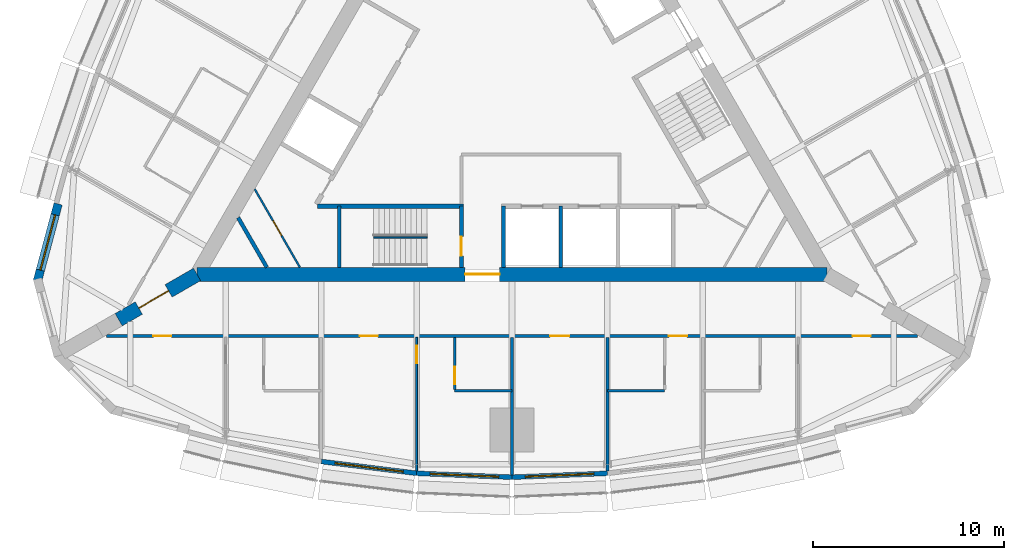
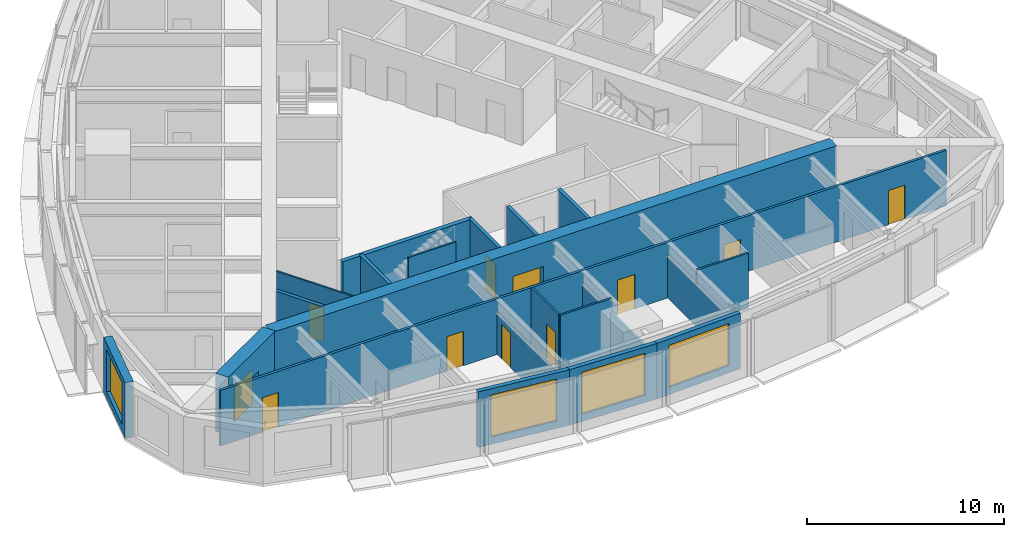
# One storey, part 9 of 15: 21 walls, 11 doors, 4 windows, 15 openings.
"""IFC4 building model written with IfcOpenShell, lengths in metres."""

from ifc_helpers import new_model, si_unit, direction, frame, frame_2d, origin, place, context, subcontext, project, spatial, rectangle, extrude, material, layer, layer_set, type_object, element, fill, save


model = new_model("IFC4")

# Units and contexts
model_context = context("Model", 3, precision=1e-05, world=origin(), true_north=direction((0.0, 1.0)))
body_context = subcontext(model_context, "Body", "Model", "MODEL_VIEW")
ifc_project = project(units=[si_unit("LENGTHUNIT", "METRE"), si_unit("AREAUNIT", "SQUARE_METRE"), si_unit("VOLUMEUNIT", "CUBIC_METRE"), si_unit("PLANEANGLEUNIT", "RADIAN"), si_unit("MASSUNIT", "GRAM", prefix="KILO")], contexts=[model_context])

# Site, building, storey
site_placement = place(None, origin())
site = spatial("IfcSite", under=ifc_project, at=site_placement, CompositionType="ELEMENT")
building_placement = place(site_placement, origin())
building = spatial("IfcBuilding", under=site, at=building_placement, Name="Trikona Tower", CompositionType="ELEMENT")
storey_placement = place(building_placement, frame((0.0, 0.0, 222.5)))
storey = spatial("IfcBuildingStorey", under=building, at=storey_placement, Name="L59", CompositionType="ELEMENT", Elevation=222.5)

# Wall
ifc_material_1 = material(Name="Metal stud and cement board", Category="gypsum")
ifc_layer_1 = layer(ifc_material_1, 0.1201171875)
ifc_layer_set_1 = layer_set([ifc_layer_1], Name="Bathroom wall 120")
wall_type_1 = type_object("IfcWallType", Name="Bathroom wall 120", PredefinedType="PLUMBINGWALL", material=ifc_layer_set_1)
wall_1_placement = place(storey_placement, frame((-3.0, -15.626220703125, 0.0), z_axis=(0.0, 0.0, 1.0), x_axis=(1.0, 0.0, 0.0)))
element("IfcWall", 1, at=wall_1_placement, inside=storey, type_object=wall_type_1, Name="Bathroom wall 5902.1", PredefinedType="PLUMBINGWALL", context=body_context, shape_type="SweptSolid", body=[
    extrude(rectangle(XDim=3.0, YDim=0.1201171875, at=frame_2d((1.5, 0.0))), origin(), (0.0, 0.0, 1.0), 3.43505859375),
])

# Wall, opening, door
wall_2_placement = place(storey_placement, frame((-3.0, -12.826416015625, 0.0), z_axis=(0.0, 0.0, 1.0), x_axis=(0.0, -1.0, 0.0)))
wall_2 = element("IfcWall", 2, at=wall_2_placement, inside=storey, type_object=wall_type_1, Name="Bathroom wall 5902.1", PredefinedType="PLUMBINGWALL", context=body_context, shape_type="SweptSolid", body=[
    extrude(rectangle(XDim=2.739990234375, YDim=0.1201171875, at=frame_2d((1.3701171875, 0.0))), origin(), (0.0, 0.0, 1.0), 3.43505859375),
])
opening_1_placement = place(wall_2_placement, frame((1.550048828125, 0.0, 0.0)))
opening_1 = element("IfcOpeningElement", 3, at=opening_1_placement, cuts=wall_2, Name="Opening D2", PredefinedType="OPENING", context=body_context, shape_type="SweptSolid", body=[
    extrude(rectangle(XDim=0.89990234375, YDim=2.1298828125, at=frame_2d((0.449951171875, 1.06494140625))), frame((0.0, 0.070068359375, 0.0), z_axis=(0.0, -1.0, 0.0), x_axis=(1.0, 0.0, 0.0)), (0.0, 0.0, 1.0), 0.14013671875),
])
ifc_material_2 = material(Name="Steel door frame with solid-core timber leaf", Category="steel")
door_type_1 = type_object("IfcDoorType", Name="Bathroom door 900x2130", OperationType="SLIDING_TO_LEFT", PredefinedType="DOOR", material=ifc_material_2)
door_1_placement = place(opening_1_placement, origin())
door_1 = element("IfcDoor", 4, at=door_1_placement, inside=storey, type_object=door_type_1, Name="Bathroom door 5902.1", OperationType="SLIDING_TO_LEFT", OverallHeight=2.1298828125, OverallWidth=0.89990234375, PredefinedType="DOOR", context=body_context, shape_type="SweptSolid", body=[
    extrude(rectangle(XDim=0.89990234375, YDim=2.1298828125, at=frame_2d((0.449951171875, 1.06494140625))), frame((0.0, 0.02490234375, 0.0), z_axis=(0.0, -1.0, 0.0), x_axis=(1.0, 0.0, 0.0)), (0.0, 0.0, 1.0), 0.050048828125),
])
fill(opening_1, door_1)

# Wall
wall_3_placement = place(storey_placement, frame((5.0, -15.626220703125, 0.0), z_axis=(0.0, 0.0, 1.0), x_axis=(1.0, 0.0, 0.0)))
element("IfcWall", 5, at=wall_3_placement, inside=storey, type_object=wall_type_1, Name="Bathroom wall 5903", PredefinedType="PLUMBINGWALL", context=body_context, shape_type="SweptSolid", body=[
    extrude(rectangle(XDim=3.0, YDim=0.1201171875, at=frame_2d((1.5, 0.0))), origin(), (0.0, 0.0, 1.0), 3.43505859375),
])

# Wall, opening, window
ifc_material_3 = material(Name="Brick-faced precast concrete", Category="masonry")
ifc_layer_2 = layer(ifc_material_3, 0.449951171875)
ifc_layer_set_2 = layer_set([ifc_layer_2], Name="Brick-faced corner wall 450")
wall_type_2 = type_object("IfcWallType", Name="Brick-faced corner wall 450", PredefinedType="SOLIDWALL", material=ifc_layer_set_2)
wall_4_placement = place(storey_placement, frame((-23.78271484375, -5.831787109375, 0.0), z_axis=(0.0, 0.0, 1.0), x_axis=(-0.258784695888, -0.965935029479, 0.0)))
wall_4 = element("IfcWall", 6, at=wall_4_placement, inside=storey, type_object=wall_type_2, Name="External wall L59-32", PredefinedType="SOLIDWALL", context=body_context, shape_type="SweptSolid", body=[
    extrude(rectangle(XDim=4.18408203125, YDim=0.449951171875, at=frame_2d((2.092041015625, 0.0))), origin(), (0.0, 0.0, 1.0), 3.43505859375),
])
opening_2_placement = place(wall_4_placement, frame((0.592041015625, 0.0, 0.449951171875)))
opening_2 = element("IfcOpeningElement", 7, at=opening_2_placement, cuts=wall_4, Name="Opening W3026", PredefinedType="OPENING", context=body_context, shape_type="SweptSolid", body=[
    extrude(rectangle(XDim=3.0, YDim=2.60009765625, at=frame_2d((1.5, 1.300048828125))), frame((0.0, 0.23486328125, 0.0), z_axis=(0.0, -1.0, 0.0), x_axis=(1.0, 0.0, 0.0)), (0.0, 0.0, 1.0), 0.469970703125),
])
ifc_material_4 = material(Name="Aluminium-framed double glazing", Category="aluminium")
window_type_1 = type_object("IfcWindowType", Name="Window 3000x2600", PartitioningType="SINGLE_PANEL", PredefinedType="WINDOW", material=ifc_material_4)
window_1_placement = place(opening_2_placement, origin())
window_1 = element("IfcWindow", 8, at=window_1_placement, inside=storey, type_object=window_type_1, Name="Window 5912", OverallHeight=2.60009765625, OverallWidth=3.0, PartitioningType="SINGLE_PANEL", PredefinedType="WINDOW", context=body_context, shape_type="SweptSolid", body=[
    extrude(rectangle(XDim=3.0, YDim=2.60009765625, at=frame_2d((1.5, 1.300048828125))), frame((0.0, 0.030029296875, 0.0), z_axis=(0.0, -1.0, 0.0), x_axis=(1.0, 0.0, 0.0)), (0.0, 0.0, 1.0), 0.06005859375),
])
fill(opening_2, window_1)

# Wall, opening, door
ifc_material_5 = material(Name="Concrete f'c 10000 psi", Category="concrete")
ifc_layer_3 = layer(ifc_material_5, 0.75)
ifc_layer_set_3 = layer_set([ifc_layer_3], Name="Buttress wall 750")
wall_type_3 = type_object("IfcWallType", Name="Buttress wall 750", PredefinedType="SHEAR", material=ifc_layer_set_3)
wall_5_placement = place(storey_placement, frame((-16.5, -9.5263671875, 0.0), z_axis=(0.0, 0.0, 1.0), x_axis=(-0.866031398331, -0.499989616998, 0.0)))
wall_5 = element("IfcWall", 9, at=wall_5_placement, inside=storey, type_object=wall_type_3, Name="Buttress wall 3", PredefinedType="SHEAR", context=body_context, shape_type="SweptSolid", body=[
    extrude(rectangle(XDim=4.74609375, YDim=0.75, at=frame_2d((2.373046875, 0.0))), origin(), (0.0, 0.0, 1.0), 3.60009765625),
])
opening_3_placement = place(wall_5_placement, frame((1.72509765625, 0.0, 0.0)))
opening_3 = element("IfcOpeningElement", 10, at=opening_3_placement, cuts=wall_5, Name="Opening D10", PredefinedType="OPENING", context=body_context, shape_type="SweptSolid", body=[
    extrude(rectangle(XDim=1.800048828125, YDim=2.1298828125, at=frame_2d((0.89990234375, 1.06494140625))), frame((0.0, 0.385009765625, 0.0), z_axis=(0.0, -1.0, 0.0), x_axis=(1.0, 0.0, 0.0)), (0.0, 0.0, 1.0), 0.77001953125),
])
ifc_material_6 = material(Name="Hollow metal door and frame", Category="steel")
door_type_2 = type_object("IfcDoorType", Name="Cross-corridor door pair 1800x2130", OperationType="DOUBLE_DOOR_DOUBLE_SWING", PredefinedType="DOOR", material=ifc_material_6)
door_2_placement = place(opening_3_placement, origin())
door_2 = element("IfcDoor", 11, at=door_2_placement, inside=storey, type_object=door_type_2, Name="Cross-corridor door 3", OperationType="DOUBLE_DOOR_DOUBLE_SWING", OverallHeight=2.1298828125, OverallWidth=1.800048828125, PredefinedType="DOOR", context=body_context, shape_type="SweptSolid", body=[
    extrude(rectangle(XDim=1.800048828125, YDim=2.1298828125, at=frame_2d((0.89990234375, 1.06494140625))), frame((0.0, 0.02490234375, 0.0), z_axis=(0.0, -1.0, 0.0), x_axis=(1.0, 0.0, 0.0)), (0.0, 0.0, 1.0), 0.050048828125),
])
fill(opening_3, door_2)

ifc_material_7 = material(Name="Concrete f'c 10000 psi", Category="concrete")
ifc_layer_4 = layer(ifc_material_7, 0.75)
ifc_layer_set_4 = layer_set([ifc_layer_4], Name="Core wall 750")
wall_type_4 = type_object("IfcWallType", Name="Core wall 750", PredefinedType="SHEAR", material=ifc_layer_set_4)
wall_6_placement = place(storey_placement, frame((-16.5, -9.5263671875, 0.0), z_axis=(0.0, 0.0, 1.0), x_axis=(1.0, 0.0, 0.0)))
wall_6 = element("IfcWall", 12, at=wall_6_placement, inside=storey, type_object=wall_type_4, Name="Core wall A", PredefinedType="SHEAR", context=body_context, shape_type="SweptSolid", body=[
    extrude(rectangle(XDim=33.0, YDim=0.75, at=frame_2d((16.5, 0.0))), origin(), (0.0, 0.0, 1.0), 3.60009765625),
])
opening_4_placement = place(wall_6_placement, frame((14.050048828125, 0.0, 0.0)))
opening_4 = element("IfcOpeningElement", 13, at=opening_4_placement, cuts=wall_6, Name="Opening D6", PredefinedType="OPENING", context=body_context, shape_type="SweptSolid", body=[
    extrude(rectangle(XDim=1.800048828125, YDim=2.1298828125, at=frame_2d((0.89990234375, 1.06494140625))), frame((0.0, 0.385009765625, 0.0), z_axis=(0.0, -1.0, 0.0), x_axis=(1.0, 0.0, 0.0)), (0.0, 0.0, 1.0), 0.77001953125),
])
ifc_material_8 = material(Name="Hollow metal door and frame", Category="steel")
door_type_3 = type_object("IfcDoorType", Name="Lobby door pair 1800x2130", OperationType="DOUBLE_DOOR_SINGLE_SWING", PredefinedType="DOOR", material=ifc_material_8)
door_3_placement = place(opening_4_placement, origin())
door_3 = element("IfcDoor", 14, at=door_3_placement, inside=storey, type_object=door_type_3, Name="Fire service lift lobby door", OperationType="DOUBLE_DOOR_SINGLE_SWING", OverallHeight=2.1298828125, OverallWidth=1.800048828125, PredefinedType="DOOR", context=body_context, shape_type="SweptSolid", body=[
    extrude(rectangle(XDim=1.800048828125, YDim=2.1298828125, at=frame_2d((0.89990234375, 1.06494140625))), frame((0.0, 0.02490234375, 0.0), z_axis=(0.0, -1.0, 0.0), x_axis=(1.0, 0.0, 0.0)), (0.0, 0.0, 1.0), 0.050048828125),
])
fill(opening_4, door_3)

# Wall, openings, doors
ifc_material_9 = material(Name="Metal stud and gypsum board, 1-hour", Category="gypsum")
ifc_layer_5 = layer(ifc_material_9, 0.14990234375)
ifc_layer_set_5 = layer_set([ifc_layer_5], Name="Corridor wall 150")
wall_type_5 = type_object("IfcWallType", Name="Corridor wall 150", PredefinedType="PARTITIONING", material=ifc_layer_set_5)
wall_7_placement = place(storey_placement, frame((-21.23583984375, -12.751220703125, 0.0), z_axis=(0.0, 0.0, 1.0), x_axis=(1.0, 0.0, 0.0)))
wall_7 = element("IfcWall", 15, at=wall_7_placement, inside=storey, type_object=wall_type_5, Name="Corridor wall L59-1", PredefinedType="PARTITIONING", context=body_context, shape_type="SweptSolid", body=[
    extrude(rectangle(XDim=42.4716796875, YDim=0.14990234375, at=frame_2d((21.23583984375, 0.0))), origin(), (0.0, 0.0, 1.0), 3.43505859375),
])
opening_5_placement = place(wall_7_placement, frame((2.4443359375, 0.0, 0.0)))
opening_5 = element("IfcOpeningElement", 16, at=opening_5_placement, cuts=wall_7, Name="Opening D1", PredefinedType="OPENING", context=body_context, shape_type="SweptSolid", body=[
    extrude(rectangle(XDim=0.949951171875, YDim=2.1298828125, at=frame_2d((0.47509765625, 1.06494140625))), frame((0.0, 0.0849609375, 0.0), z_axis=(0.0, -1.0, 0.0), x_axis=(1.0, 0.0, 0.0)), (0.0, 0.0, 1.0), 0.169921875),
])
opening_6_placement = place(wall_7_placement, frame((13.260986328125, 0.0, 0.0)))
opening_6 = element("IfcOpeningElement", 17, at=opening_6_placement, cuts=wall_7, Name="Opening D1", PredefinedType="OPENING", context=body_context, shape_type="SweptSolid", body=[
    extrude(rectangle(XDim=0.949951171875, YDim=2.1298828125, at=frame_2d((0.47509765625, 1.06494140625))), frame((0.0, 0.0849609375, 0.0), z_axis=(0.0, -1.0, 0.0), x_axis=(1.0, 0.0, 0.0)), (0.0, 0.0, 1.0), 0.169921875),
])
opening_7_placement = place(wall_7_placement, frame((23.23583984375, 0.0, 0.0)))
opening_7 = element("IfcOpeningElement", 18, at=opening_7_placement, cuts=wall_7, Name="Opening D3", PredefinedType="OPENING", context=body_context, shape_type="SweptSolid", body=[
    extrude(rectangle(XDim=1.0, YDim=2.1298828125, at=frame_2d((0.5, 1.06494140625))), frame((0.0, 0.0849609375, 0.0), z_axis=(0.0, -1.0, 0.0), x_axis=(1.0, 0.0, 0.0)), (0.0, 0.0, 1.0), 0.169921875),
])
opening_8_placement = place(wall_7_placement, frame((29.4609375, 0.0, 0.0)))
opening_8 = element("IfcOpeningElement", 19, at=opening_8_placement, cuts=wall_7, Name="Opening D1", PredefinedType="OPENING", context=body_context, shape_type="SweptSolid", body=[
    extrude(rectangle(XDim=0.949951171875, YDim=2.1298828125, at=frame_2d((0.47509765625, 1.06494140625))), frame((0.0, 0.0849609375, 0.0), z_axis=(0.0, -1.0, 0.0), x_axis=(1.0, 0.0, 0.0)), (0.0, 0.0, 1.0), 0.169921875),
])
opening_9_placement = place(wall_7_placement, frame((39.077392578125, 0.0, 0.0)))
opening_9 = element("IfcOpeningElement", 20, at=opening_9_placement, cuts=wall_7, Name="Opening D1", PredefinedType="OPENING", context=body_context, shape_type="SweptSolid", body=[
    extrude(rectangle(XDim=0.949951171875, YDim=2.1298828125, at=frame_2d((0.47509765625, 1.06494140625))), frame((0.0, 0.0849609375, 0.0), z_axis=(0.0, -1.0, 0.0), x_axis=(1.0, 0.0, 0.0)), (0.0, 0.0, 1.0), 0.169921875),
])
ifc_material_10 = material(Name="Steel door frame with solid-core timber leaf", Category="steel")
door_type_4 = type_object("IfcDoorType", Name="Guest room door 950x2130", OperationType="SINGLE_SWING_LEFT", PredefinedType="DOOR", material=ifc_material_10)
door_4_placement = place(opening_5_placement, origin())
door_4 = element("IfcDoor", 21, at=door_4_placement, inside=storey, type_object=door_type_4, Name="Room door 5901", OperationType="SINGLE_SWING_LEFT", OverallHeight=2.1298828125, OverallWidth=0.949951171875, PredefinedType="DOOR", context=body_context, shape_type="SweptSolid", body=[
    extrude(rectangle(XDim=0.949951171875, YDim=2.1298828125, at=frame_2d((0.47509765625, 1.06494140625))), frame((0.0, 0.02490234375, 0.0), z_axis=(0.0, -1.0, 0.0), x_axis=(1.0, 0.0, 0.0)), (0.0, 0.0, 1.0), 0.050048828125),
])
fill(opening_5, door_4)
door_5_placement = place(opening_6_placement, origin())
door_5 = element("IfcDoor", 22, at=door_5_placement, inside=storey, type_object=door_type_4, Name="Room door 5902", OperationType="SINGLE_SWING_RIGHT", OverallHeight=2.1298828125, OverallWidth=0.949951171875, PredefinedType="DOOR", context=body_context, shape_type="SweptSolid", body=[
    extrude(rectangle(XDim=0.949951171875, YDim=2.1298828125, at=frame_2d((0.47509765625, 1.06494140625))), frame((0.0, 0.02490234375, 0.0), z_axis=(0.0, -1.0, 0.0), x_axis=(1.0, 0.0, 0.0)), (0.0, 0.0, 1.0), 0.050048828125),
])
fill(opening_6, door_5)
door_6_placement = place(opening_8_placement, origin())
door_6 = element("IfcDoor", 23, at=door_6_placement, inside=storey, type_object=door_type_4, Name="Room door 5903", OperationType="SINGLE_SWING_RIGHT", OverallHeight=2.1298828125, OverallWidth=0.949951171875, PredefinedType="DOOR", context=body_context, shape_type="SweptSolid", body=[
    extrude(rectangle(XDim=0.949951171875, YDim=2.1298828125, at=frame_2d((0.47509765625, 1.06494140625))), frame((0.0, 0.02490234375, 0.0), z_axis=(0.0, -1.0, 0.0), x_axis=(1.0, 0.0, 0.0)), (0.0, 0.0, 1.0), 0.050048828125),
])
fill(opening_8, door_6)
door_7_placement = place(opening_9_placement, origin())
door_7 = element("IfcDoor", 24, at=door_7_placement, inside=storey, type_object=door_type_4, Name="Room door 5904", OperationType="SINGLE_SWING_RIGHT", OverallHeight=2.1298828125, OverallWidth=0.949951171875, PredefinedType="DOOR", context=body_context, shape_type="SweptSolid", body=[
    extrude(rectangle(XDim=0.949951171875, YDim=2.1298828125, at=frame_2d((0.47509765625, 1.06494140625))), frame((0.0, 0.02490234375, 0.0), z_axis=(0.0, -1.0, 0.0), x_axis=(1.0, 0.0, 0.0)), (0.0, 0.0, 1.0), 0.050048828125),
])
fill(opening_9, door_7)
ifc_material_11 = material(Name="Steel door frame with solid-core timber leaf", Category="steel")
door_type_5 = type_object("IfcDoorType", Name="Room door 1000x2130", OperationType="SINGLE_SWING_LEFT", PredefinedType="DOOR", material=ifc_material_11)
door_8_placement = place(opening_7_placement, origin())
door_8 = element("IfcDoor", 25, at=door_8_placement, inside=storey, type_object=door_type_5, Name="Door Housekeeping pantry", OperationType="SINGLE_SWING_LEFT", OverallHeight=2.1298828125, OverallWidth=1.0, PredefinedType="DOOR", context=body_context, shape_type="SweptSolid", body=[
    extrude(rectangle(XDim=1.0, YDim=2.1298828125, at=frame_2d((0.5, 1.06494140625))), frame((0.0, 0.02490234375, 0.0), z_axis=(0.0, -1.0, 0.0), x_axis=(1.0, 0.0, 0.0)), (0.0, 0.0, 1.0), 0.050048828125),
])
fill(opening_7, door_8)

# Wall
ifc_material_12 = material(Name="Concrete f'c 8000 psi", Category="concrete")
ifc_layer_6 = layer(ifc_material_12, 0.25)
ifc_layer_set_6 = layer_set([ifc_layer_6], Name="Hub wall 250")
wall_type_6 = type_object("IfcWallType", Name="Hub wall 250", PredefinedType="SOLIDWALL", material=ifc_layer_set_6)
wall_8_placement = place(storey_placement, frame((-10.182861328125, -5.951416015625, 0.0), z_axis=(0.0, 0.0, 1.0), x_axis=(1.0, 0.0, 0.0)))
element("IfcWall", 26, at=wall_8_placement, inside=storey, type_object=wall_type_6, Name="Lift lobby wall A1", PredefinedType="SOLIDWALL", context=body_context, shape_type="SweptSolid", body=[
    extrude(rectangle(XDim=7.6328125, YDim=0.25, at=frame_2d((3.81640625, 0.0))), origin(), (0.0, 0.0, 1.0), 3.43505859375),
])

# Wall, opening, window
ifc_material_13 = material(Name="Insulated precast concrete spandrel panel", Category="concrete")
ifc_layer_7 = layer(ifc_material_13, 0.25)
ifc_layer_set_7 = layer_set([ifc_layer_7], Name="Inner skin wall 250")
wall_type_7 = type_object("IfcWallType", Name="Inner skin wall 250", PredefinedType="STANDARD", material=ifc_layer_set_7)
wall_9_placement = place(storey_placement, frame((-9.984619140625, -19.330078125, 0.0), z_axis=(0.0, 0.0, 1.0), x_axis=(0.992449874964, -0.12265090984, 0.0)))
wall_9 = element("IfcWall", 27, at=wall_9_placement, inside=storey, type_object=wall_type_7, Name="External wall L59-02", PredefinedType="STANDARD", context=body_context, shape_type="SweptSolid", body=[
    extrude(rectangle(XDim=5.0380859375, YDim=0.25, at=frame_2d((2.51904296875, 0.0))), origin(), (0.0, 0.0, 1.0), 3.43505859375),
])
opening_10_placement = place(wall_9_placement, frame((0.718994140625, 0.0, 0.449951171875)))
opening_10 = element("IfcOpeningElement", 28, at=opening_10_placement, cuts=wall_9, Name="Opening W3626", PredefinedType="OPENING", context=body_context, shape_type="SweptSolid", body=[
    extrude(rectangle(XDim=3.60009765625, YDim=2.60009765625, at=frame_2d((1.800048828125, 1.300048828125))), frame((0.0, 0.135009765625, 0.0), z_axis=(0.0, -1.0, 0.0), x_axis=(1.0, 0.0, 0.0)), (0.0, 0.0, 1.0), 0.27001953125),
])
ifc_material_14 = material(Name="Aluminium-framed double glazing", Category="aluminium")
window_type_2 = type_object("IfcWindowType", Name="Window 3600x2600", PartitioningType="SINGLE_PANEL", PredefinedType="WINDOW", material=ifc_material_14)
window_2_placement = place(opening_10_placement, origin())
window_2 = element("IfcWindow", 29, at=window_2_placement, inside=storey, type_object=window_type_2, Name="Window 5902", OverallHeight=2.60009765625, OverallWidth=3.60009765625, PartitioningType="SINGLE_PANEL", PredefinedType="WINDOW", context=body_context, shape_type="SweptSolid", body=[
    extrude(rectangle(XDim=3.60009765625, YDim=2.60009765625, at=frame_2d((1.800048828125, 1.300048828125))), frame((0.0, 0.030029296875, 0.0), z_axis=(0.0, -1.0, 0.0), x_axis=(1.0, 0.0, 0.0)), (0.0, 0.0, 1.0), 0.06005859375),
])
fill(opening_10, window_2)

wall_10_placement = place(storey_placement, frame((-4.994873046875, -19.947021484375, 0.0), z_axis=(0.0, 0.0, 1.0), x_axis=(0.999151909423, -0.041175986892, 0.0)))
wall_10 = element("IfcWall", 30, at=wall_10_placement, inside=storey, type_object=wall_type_7, Name="External wall L59-03", PredefinedType="STANDARD", context=body_context, shape_type="SweptSolid", body=[
    extrude(rectangle(XDim=5.004150390625, YDim=0.25, at=frame_2d((2.501953125, 0.0))), origin(), (0.0, 0.0, 1.0), 3.43505859375),
])
opening_11_placement = place(wall_10_placement, frame((0.7021484375, 0.0, 0.449951171875)))
opening_11 = element("IfcOpeningElement", 31, at=opening_11_placement, cuts=wall_10, Name="Opening W3626", PredefinedType="OPENING", context=body_context, shape_type="SweptSolid", body=[
    extrude(rectangle(XDim=3.60009765625, YDim=2.60009765625, at=frame_2d((1.800048828125, 1.300048828125))), frame((0.0, 0.135009765625, 0.0), z_axis=(0.0, -1.0, 0.0), x_axis=(1.0, 0.0, 0.0)), (0.0, 0.0, 1.0), 0.27001953125),
])
window_3_placement = place(opening_11_placement, origin())
window_3 = element("IfcWindow", 32, at=window_3_placement, inside=storey, type_object=window_type_2, Name="Window 5902.1", OverallHeight=2.60009765625, OverallWidth=3.60009765625, PartitioningType="SINGLE_PANEL", PredefinedType="WINDOW", context=body_context, shape_type="SweptSolid", body=[
    extrude(rectangle(XDim=3.60009765625, YDim=2.60009765625, at=frame_2d((1.800048828125, 1.300048828125))), frame((0.0, 0.030029296875, 0.0), z_axis=(0.0, -1.0, 0.0), x_axis=(1.0, 0.0, 0.0)), (0.0, 0.0, 1.0), 0.06005859375),
])
fill(opening_11, window_3)

wall_11_placement = place(storey_placement, frame((-0.005126953125, -20.153076171875, 0.0), z_axis=(0.0, 0.0, 1.0), x_axis=(0.999151909423, 0.041175986892, 0.0)))
wall_11 = element("IfcWall", 33, at=wall_11_placement, inside=storey, type_object=wall_type_7, Name="External wall L59-04", PredefinedType="STANDARD", context=body_context, shape_type="SweptSolid", body=[
    extrude(rectangle(XDim=5.004150390625, YDim=0.25, at=frame_2d((2.501953125, 0.0))), origin(), (0.0, 0.0, 1.0), 3.43505859375),
])
opening_12_placement = place(wall_11_placement, frame((0.7021484375, 0.0, 0.449951171875)))
opening_12 = element("IfcOpeningElement", 34, at=opening_12_placement, cuts=wall_11, Name="Opening W3626", PredefinedType="OPENING", context=body_context, shape_type="SweptSolid", body=[
    extrude(rectangle(XDim=3.60009765625, YDim=2.60009765625, at=frame_2d((1.800048828125, 1.300048828125))), frame((0.0, 0.135009765625, 0.0), z_axis=(0.0, -1.0, 0.0), x_axis=(1.0, 0.0, 0.0)), (0.0, 0.0, 1.0), 0.27001953125),
])
window_4_placement = place(opening_12_placement, origin())
window_4 = element("IfcWindow", 35, at=window_4_placement, inside=storey, type_object=window_type_2, Name="Window L59-HKP", OverallHeight=2.60009765625, OverallWidth=3.60009765625, PartitioningType="SINGLE_PANEL", PredefinedType="WINDOW", context=body_context, shape_type="SweptSolid", body=[
    extrude(rectangle(XDim=3.60009765625, YDim=2.60009765625, at=frame_2d((1.800048828125, 1.300048828125))), frame((0.0, 0.030029296875, 0.0), z_axis=(0.0, -1.0, 0.0), x_axis=(1.0, 0.0, 0.0)), (0.0, 0.0, 1.0), 0.06005859375),
])
fill(opening_12, window_4)

# Walls
ifc_material_15 = material(Name="Metal stud and gypsum board, 1-hour acoustic", Category="gypsum")
ifc_layer_8 = layer(ifc_material_15, 0.14990234375)
ifc_layer_set_8 = layer_set([ifc_layer_8], Name="Party wall 150")
wall_type_8 = type_object("IfcWallType", Name="Party wall 150", PredefinedType="PARTITIONING", material=ifc_layer_set_8)
wall_12_placement = place(storey_placement, frame((0.0, -12.826416015625, 0.0), z_axis=(0.0, 0.0, 1.0), x_axis=(0.0, -1.0, 0.0)))
element("IfcWall", 36, at=wall_12_placement, inside=storey, type_object=wall_type_8, Name="Partition L59 F1 u0", PredefinedType="PARTITIONING", context=body_context, shape_type="SweptSolid", body=[
    extrude(rectangle(XDim=7.201171875, YDim=0.14990234375, at=frame_2d((3.6005859375, 0.0))), origin(), (0.0, 0.0, 1.0), 2.589111328125),
])
wall_13_placement = place(storey_placement, frame((5.0, -12.826416015625, 0.0), z_axis=(0.0, 0.0, 1.0), x_axis=(0.0, -1.0, 0.0)))
element("IfcWall", 37, at=wall_13_placement, inside=storey, type_object=wall_type_8, Name="Partition L59 F1 u5", PredefinedType="PARTITIONING", context=body_context, shape_type="SweptSolid", body=[
    extrude(rectangle(XDim=6.99365234375, YDim=0.14990234375, at=frame_2d((3.496826171875, 0.0))), origin(), (0.0, 0.0, 1.0), 2.589111328125),
])
ifc_material_16 = material(Name="Concrete f'c 8000 psi", Category="concrete")
ifc_layer_9 = layer(ifc_material_16, 0.199951171875)
ifc_layer_set_9 = layer_set([ifc_layer_9], Name="Shaft wall 200")
wall_type_9 = type_object("IfcWallType", Name="Shaft wall 200", PredefinedType="SOLIDWALL", material=ifc_layer_set_9)
for number, where, z_axis, x_axis, name in (
    (38, (-0.449951171875, -5.951416015625, 0.0), (0.0, 0.0, 1.0), (0.0, -1.0, 0.0), "Shaft wall A3"),
    (39, (2.550048828125, -5.951416015625, 0.0), (0.0, 0.0, 1.0), (0.0, -1.0, 0.0), "Shaft wall A4"),
):
    element("IfcWall", number, at=place(storey_placement, frame(where, z_axis=z_axis, x_axis=x_axis)), inside=storey, type_object=wall_type_9, Name=name, PredefinedType="SOLIDWALL", context=body_context, shape_type="SweptSolid", body=[
        extrude(rectangle(XDim=3.199951171875, YDim=0.199951171875, at=frame_2d((1.60009765625, 0.0))), origin(), (0.0, 0.0, 1.0), 3.43505859375),
    ])
wall_14_placement = place(storey_placement, frame((-12.848388671875, -9.1513671875, 0.0), z_axis=(0.0, 0.0, 1.0), x_axis=(-0.499952404951, 0.866052881055, 0.0)))
element("IfcWall", 40, at=wall_14_placement, inside=storey, type_object=wall_type_9, Name="Riser wall L59-RS3", PredefinedType="SOLIDWALL", context=body_context, shape_type="SweptSolid", body=[
    extrude(rectangle(XDim=3.002197265625, YDim=0.199951171875, at=frame_2d((1.5009765625, 0.0))), origin(), (0.0, 0.0, 1.0), 3.43505859375),
])
ifc_material_17 = material(Name="Concrete f'c 8000 psi", Category="concrete")
ifc_layer_10 = layer(ifc_material_17, 0.199951171875)
ifc_layer_set_10 = layer_set([ifc_layer_10], Name="Shaft wall 200 load-bearing")
wall_type_10 = type_object("IfcWallType", Name="Shaft wall 200 load-bearing", PredefinedType="SOLIDWALL", material=ifc_layer_set_10)
wall_15_placement = place(storey_placement, frame((-9.050048828125, -5.951416015625, 0.0), z_axis=(0.0, 0.0, 1.0), x_axis=(0.0, -1.0, 0.0)))
element("IfcWall", 41, at=wall_15_placement, inside=storey, type_object=wall_type_10, Name="Shaft wall A1", PredefinedType="SOLIDWALL", context=body_context, shape_type="SweptSolid", body=[
    extrude(rectangle(XDim=3.199951171875, YDim=0.199951171875, at=frame_2d((1.60009765625, 0.0))), origin(), (0.0, 0.0, 1.0), 3.43505859375),
])

# Wall, opening, door
wall_16_placement = place(storey_placement, frame((-2.64990234375, -5.951416015625, 0.0), z_axis=(0.0, 0.0, 1.0), x_axis=(0.0, -1.0, 0.0)))
wall_16 = element("IfcWall", 42, at=wall_16_placement, inside=storey, type_object=wall_type_10, Name="Shaft wall A2", PredefinedType="SOLIDWALL", context=body_context, shape_type="SweptSolid", body=[
    extrude(rectangle(XDim=3.199951171875, YDim=0.199951171875, at=frame_2d((1.60009765625, 0.0))), origin(), (0.0, 0.0, 1.0), 3.43505859375),
])
opening_13_placement = place(wall_16_placement, frame((1.60009765625, 0.0, 0.0)))
opening_13 = element("IfcOpeningElement", 43, at=opening_13_placement, cuts=wall_16, Name="Opening D5", PredefinedType="OPENING", context=body_context, shape_type="SweptSolid", body=[
    extrude(rectangle(XDim=1.0, YDim=2.1298828125, at=frame_2d((0.5, 1.06494140625))), frame((0.0, 0.10986328125, 0.0), z_axis=(0.0, -1.0, 0.0), x_axis=(1.0, 0.0, 0.0)), (0.0, 0.0, 1.0), 0.219970703125),
])
ifc_material_18 = material(Name="Hollow metal door and frame", Category="steel")
door_type_6 = type_object("IfcDoorType", Name="Stair door 1000x2130", OperationType="SINGLE_SWING_LEFT", PredefinedType="DOOR", material=ifc_material_18)
door_9_placement = place(opening_13_placement, origin())
door_9 = element("IfcDoor", 44, at=door_9_placement, inside=storey, type_object=door_type_6, Name="Stair A door", OperationType="SINGLE_SWING_RIGHT", OverallHeight=2.1298828125, OverallWidth=1.0, PredefinedType="DOOR", context=body_context, shape_type="SweptSolid", body=[
    extrude(rectangle(XDim=1.0, YDim=2.1298828125, at=frame_2d((0.5, 1.06494140625))), frame((0.0, 0.02490234375, 0.0), z_axis=(0.0, -1.0, 0.0), x_axis=(1.0, 0.0, 0.0)), (0.0, 0.0, 1.0), 0.050048828125),
])
fill(opening_13, door_9)

# Wall
ifc_material_19 = material(Name="Concrete f'c 5000 psi", Category="concrete")
ifc_layer_11 = layer(ifc_material_19, 0.10009765625)
ifc_layer_set_11 = layer_set([ifc_layer_11], Name="Stair spine wall 100")
wall_type_11 = type_object("IfcWallType", Name="Stair spine wall 100", PredefinedType="SOLIDWALL", material=ifc_layer_set_11)
wall_17_placement = place(storey_placement, frame((-7.2470703125, -7.576416015625, 0.0), z_axis=(0.0, 0.0, 1.0), x_axis=(1.0, 0.0, 0.0)))
element("IfcWall", 45, at=wall_17_placement, inside=storey, type_object=wall_type_11, Name="Stair A spine wall L59", PredefinedType="SOLIDWALL", context=body_context, shape_type="SweptSolid", body=[
    extrude(rectangle(XDim=2.794189453125, YDim=0.10009765625, at=frame_2d((1.39697265625, 0.0))), origin(), (0.0, 0.0, 1.0), 3.60009765625),
])

# Wall, opening, door
ifc_material_20 = material(Name="Metal stud and gypsum board, acoustic", Category="gypsum")
ifc_layer_12 = layer(ifc_material_20, 0.10009765625)
ifc_layer_set_12 = layer_set([ifc_layer_12], Name="Suite partition 100")
wall_type_12 = type_object("IfcWallType", Name="Suite partition 100", PredefinedType="PARTITIONING", material=ifc_layer_set_12)
wall_18_placement = place(storey_placement, frame((-5.0, -12.826416015625, 0.0), z_axis=(0.0, 0.0, 1.0), x_axis=(0.0, -1.0, 0.0)))
wall_18 = element("IfcWall", 46, at=wall_18_placement, inside=storey, type_object=wall_type_12, Name="Suite partition L59 F1 u-5", PredefinedType="PARTITIONING", context=body_context, shape_type="SweptSolid", body=[
    extrude(rectangle(XDim=6.99365234375, YDim=0.10009765625, at=frame_2d((3.496826171875, 0.0))), origin(), (0.0, 0.0, 1.0), 2.589111328125),
])
opening_14_placement = place(wall_18_placement, frame((0.449951171875, 0.0, 0.0)))
opening_14 = element("IfcOpeningElement", 47, at=opening_14_placement, cuts=wall_18, Name="Opening D13", PredefinedType="OPENING", context=body_context, shape_type="SweptSolid", body=[
    extrude(rectangle(XDim=0.89990234375, YDim=2.1298828125, at=frame_2d((0.449951171875, 1.06494140625))), frame((0.0, 0.06005859375, 0.0), z_axis=(0.0, -1.0, 0.0), x_axis=(1.0, 0.0, 0.0)), (0.0, 0.0, 1.0), 0.1201171875),
])
ifc_material_21 = material(Name="Steel door frame with solid-core timber leaf", Category="steel")
door_type_7 = type_object("IfcDoorType", Name="Suite door 900x2130", OperationType="SINGLE_SWING_LEFT", PredefinedType="DOOR", material=ifc_material_21)
door_10_placement = place(opening_14_placement, origin())
door_10 = element("IfcDoor", 48, at=door_10_placement, inside=storey, type_object=door_type_7, Name="Suite door 5902", OperationType="SINGLE_SWING_LEFT", OverallHeight=2.1298828125, OverallWidth=0.89990234375, PredefinedType="DOOR", context=body_context, shape_type="SweptSolid", body=[
    extrude(rectangle(XDim=0.89990234375, YDim=2.1298828125, at=frame_2d((0.449951171875, 1.06494140625))), frame((0.0, 0.02490234375, 0.0), z_axis=(0.0, -1.0, 0.0), x_axis=(1.0, 0.0, 0.0)), (0.0, 0.0, 1.0), 0.050048828125),
])
fill(opening_14, door_10)

wall_19_placement = place(storey_placement, frame((-11.1162109375, -9.1513671875, 0.0), z_axis=(0.0, 0.0, 1.0), x_axis=(-0.499999210213, 0.866025859768, 0.0)))
wall_19 = element("IfcWall", 49, at=wall_19_placement, inside=storey, type_object=wall_type_12, Name="Store partition L59-RS3", PredefinedType="PARTITIONING", context=body_context, shape_type="SweptSolid", body=[
    extrude(rectangle(XDim=4.734375, YDim=0.10009765625, at=frame_2d((2.3671875, 0.0))), origin(), (0.0, 0.0, 1.0), 3.43505859375),
])
opening_15_placement = place(wall_19_placement, frame((1.917236328125, 0.0, 0.0)))
opening_15 = element("IfcOpeningElement", 50, at=opening_15_placement, cuts=wall_19, Name="Opening D15", PredefinedType="OPENING", context=body_context, shape_type="SweptSolid", body=[
    extrude(rectangle(XDim=0.89990234375, YDim=2.1298828125, at=frame_2d((0.449951171875, 1.06494140625))), frame((0.0, 0.06005859375, 0.0), z_axis=(0.0, -1.0, 0.0), x_axis=(1.0, 0.0, 0.0)), (0.0, 0.0, 1.0), 0.1201171875),
])
ifc_material_22 = material(Name="Steel door frame with solid-core timber leaf", Category="steel")
door_type_8 = type_object("IfcDoorType", Name="Store door 900x2130", OperationType="SINGLE_SWING_LEFT", PredefinedType="DOOR", material=ifc_material_22)
door_11_placement = place(opening_15_placement, origin())
door_11 = element("IfcDoor", 51, at=door_11_placement, inside=storey, type_object=door_type_8, Name="Door Cleaner's store CLN", OperationType="SINGLE_SWING_RIGHT", OverallHeight=2.1298828125, OverallWidth=0.89990234375, PredefinedType="DOOR", context=body_context, shape_type="SweptSolid", body=[
    extrude(rectangle(XDim=0.89990234375, YDim=2.1298828125, at=frame_2d((0.449951171875, 1.06494140625))), frame((0.0, 0.02490234375, 0.0), z_axis=(0.0, -1.0, 0.0), x_axis=(1.0, 0.0, 0.0)), (0.0, 0.0, 1.0), 0.050048828125),
])
fill(opening_15, door_11)

save(model, "model.ifc")
